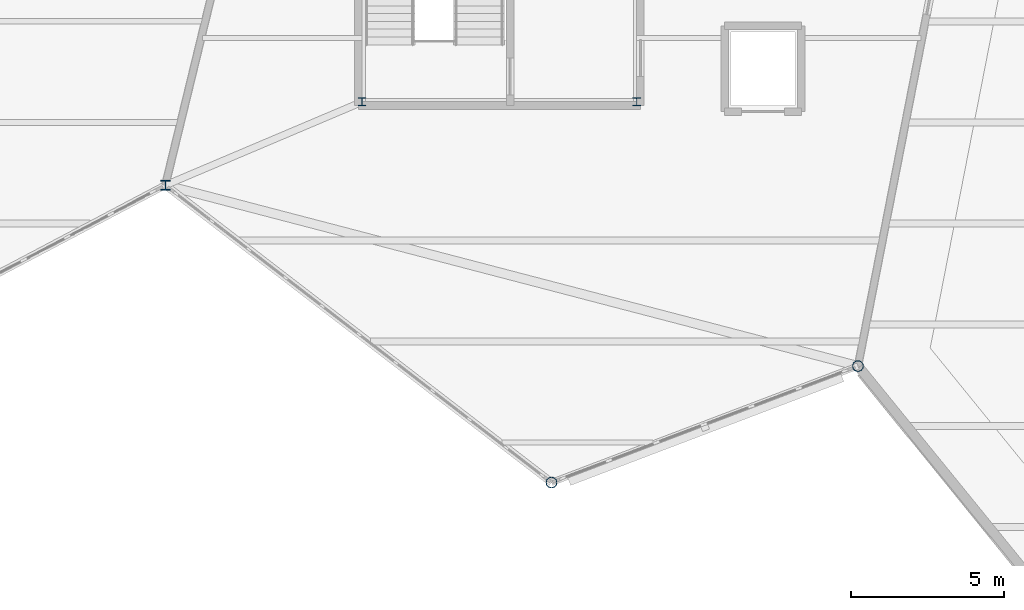
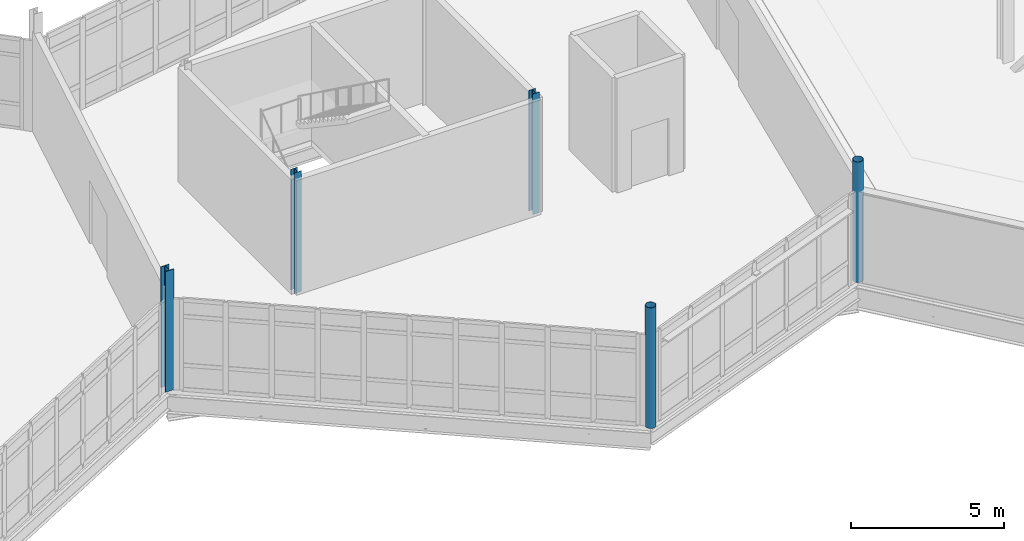
# One storey, part 6 of 114: 5 columns.
"""IFC4 building model written with IfcOpenShell, lengths in metres."""

from ifc_helpers import new_model, si_unit, direction, frame, origin, origin_2d, place, context, subcontext, project, spatial, hollow_circle, i_section, extrude, material, material_profile, profile_set, type_object, element, save


model = new_model("IFC4")

# Units and contexts
model_context = context("Model", 3, precision=1e-05, world=origin(), true_north=direction((0.0, 1.0)))
body_context = subcontext(model_context, "Body", "Model", "MODEL_VIEW")
ifc_project = project(units=[si_unit("LENGTHUNIT", "METRE"), si_unit("AREAUNIT", "SQUARE_METRE"), si_unit("VOLUMEUNIT", "CUBIC_METRE"), si_unit("PLANEANGLEUNIT", "RADIAN"), si_unit("MASSUNIT", "GRAM", prefix="KILO")], contexts=[model_context])

# Site, building, storey
site_placement = place(None, origin())
site = spatial("IfcSite", under=ifc_project, at=site_placement, CompositionType="ELEMENT")
building_placement = place(site_placement, origin())
building = spatial("IfcBuilding", under=site, at=building_placement, Name="Tameran Prism Museum", CompositionType="ELEMENT")
storey_placement = place(building_placement, frame((0.0, 0.0, 10.199951171875)))
storey = spatial("IfcBuildingStorey", under=building, at=storey_placement, Name="L02", CompositionType="ELEMENT", Elevation=10.199951171875)

# Columns
ifc_material_1 = material(Name="Steel Grade C350L0 (350 MPa)", Category="steel")
ifc_material_profile_1 = material_profile(ifc_material_1, hollow_circle(Radius=0.177734375, WallThickness=0.0126953125, at=origin_2d()))
ifc_profile_set_1 = profile_set([ifc_material_profile_1])
column_type_1 = type_object("IfcColumnType", Name="COL-CHS355", PredefinedType="COLUMN", material=ifc_profile_set_1)
for number, where, z_axis, x_axis, name in (
    (1, (110.699951171875, 18.5, 0.0), (0.0, 0.0, 1.0), (1.0, 0.0, 0.0), "Column CV-44 L02"),
    (2, (120.699951171875, 22.300048828125, 0.0), (0.0, 0.0, 1.0), (1.0, 0.0, 0.0), "Column CV-48 L02"),
):
    element("IfcColumn", number, at=place(storey_placement, frame(where, z_axis=z_axis, x_axis=x_axis)), inside=storey, type_object=column_type_1, Name=name, PredefinedType="COLUMN", context=body_context, shape_type="SweptSolid", body=[
        extrude(hollow_circle(Radius=0.177734375, WallThickness=0.0126953125, at=origin_2d()), origin(), (0.0, 0.0, 1.0), 4.800048828125),
    ])
ifc_material_2 = material(Name="Steel Grade 300PLUS (300 MPa)", Category="steel")
ifc_material_profile_2 = material_profile(ifc_material_2, i_section(OverallWidth=0.25390625, OverallDepth=0.25390625, WebThickness=0.008544921875, FlangeThickness=0.01416015625, FilletRadius=0.0126953125, at=origin_2d()))
ifc_profile_set_2 = profile_set([ifc_material_profile_2])
column_type_2 = type_object("IfcColumnType", Name="COL-UC250B", PredefinedType="COLUMN", material=ifc_profile_set_2)
for number, where, z_axis, x_axis, name in (
    (3, (104.52001953125, 30.919921875, 0.0), (0.0, 0.0, 1.0), (1.0, 0.0, 0.0), "Column CC-4-1 L02"),
    (4, (113.47998046875, 30.919921875, 0.0), (0.0, 0.0, 1.0), (1.0, 0.0, 0.0), "Column CC-4-2 L02"),
):
    element("IfcColumn", number, at=place(storey_placement, frame(where, z_axis=z_axis, x_axis=x_axis)), inside=storey, type_object=column_type_2, Name=name, PredefinedType="COLUMN", context=body_context, shape_type="SweptSolid", body=[
        extrude(i_section(OverallWidth=0.25390625, OverallDepth=0.25390625, WebThickness=0.008544921875, FlangeThickness=0.01416015625, FilletRadius=0.0126953125, at=origin_2d()), origin(), (0.0, 0.0, 1.0), 4.800048828125),
    ])
ifc_material_3 = material(Name="Steel Grade 350 (350 MPa)", Category="steel")
ifc_material_profile_3 = material_profile(ifc_material_3, i_section(OverallWidth=0.31103515625, OverallDepth=0.326904296875, WebThickness=0.015625, FlangeThickness=0.02490234375, FilletRadius=0.0166015625, at=origin_2d()))
ifc_profile_set_3 = profile_set([ifc_material_profile_3])
column_type_3 = type_object("IfcColumnType", Name="COL-UC310A", PredefinedType="COLUMN", material=ifc_profile_set_3)
column_placement = place(storey_placement, frame((98.10009765625, 28.199951171875, 0.0), z_axis=(0.0, 0.0, 1.0), x_axis=(1.0, 0.0, 0.0)))
element("IfcColumn", 5, at=column_placement, inside=storey, type_object=column_type_3, Name="Column CV-39 L02", PredefinedType="COLUMN", context=body_context, shape_type="SweptSolid", body=[
    extrude(i_section(OverallWidth=0.31103515625, OverallDepth=0.326904296875, WebThickness=0.015625, FlangeThickness=0.02490234375, FilletRadius=0.0166015625, at=origin_2d()), origin(), (0.0, 0.0, 1.0), 4.800048828125),
])

save(model, "model.ifc")
